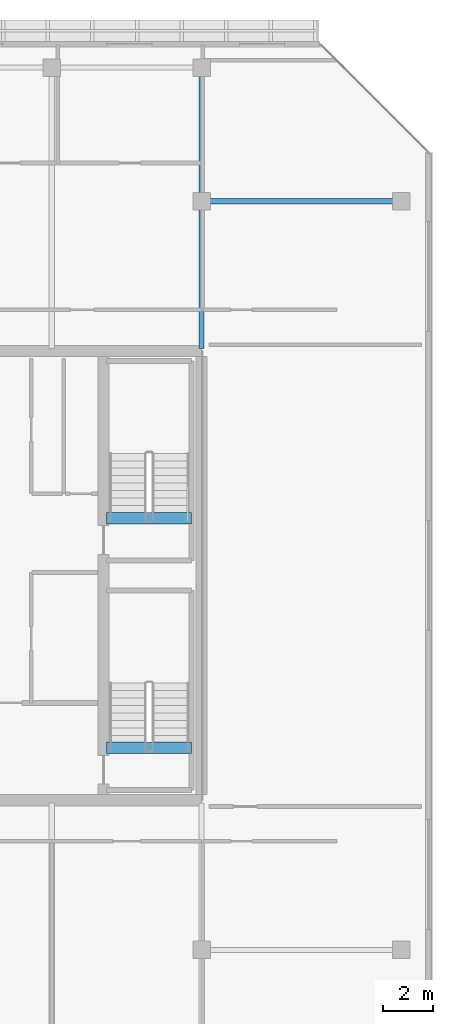
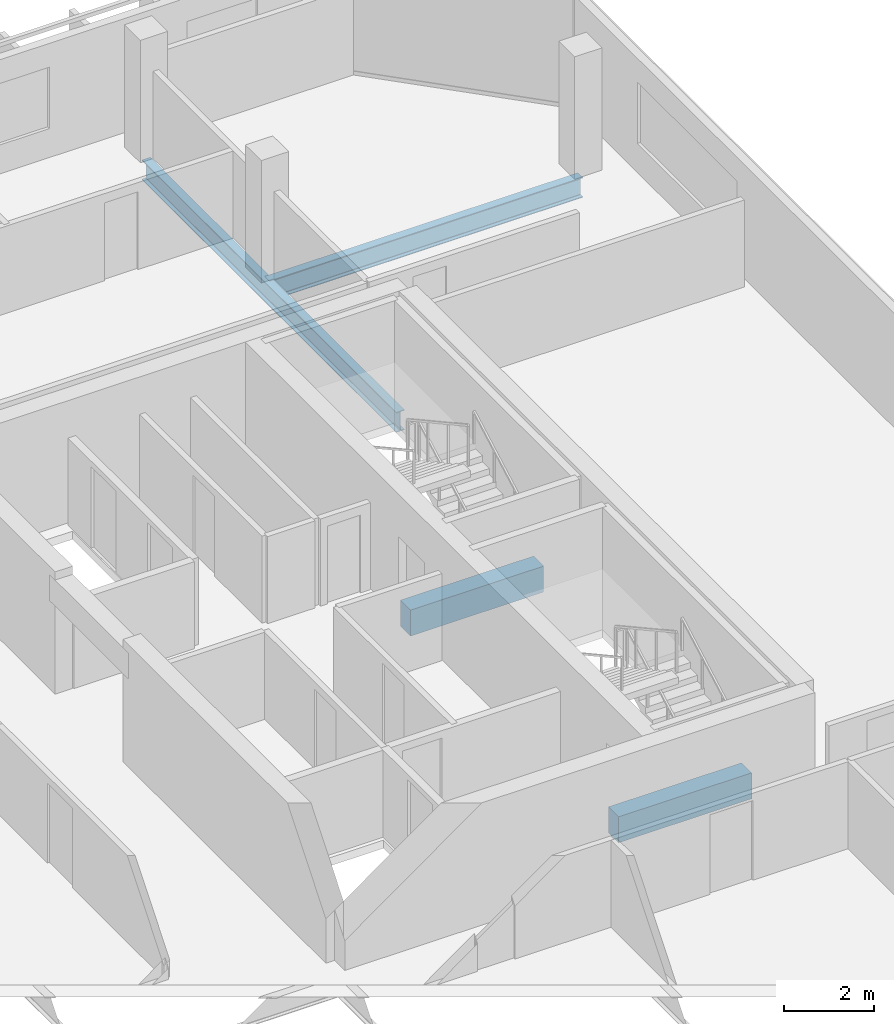
# One storey, part 17 of 28: 4 beams.
"""IFC4 building model written with IfcOpenShell, lengths in metres."""

from ifc_helpers import new_model, si_unit, direction, frame, origin, origin_2d, place, context, subcontext, project, spatial, rectangle, i_section, extrude, material, material_profile, profile_set, type_object, element, save


model = new_model("IFC4")

# Units and contexts
model_context = context("Model", 3, precision=1e-05, world=origin(), true_north=direction((0.0, 1.0)))
body_context = subcontext(model_context, "Body", "Model", "MODEL_VIEW")
ifc_project = project(units=[si_unit("LENGTHUNIT", "METRE"), si_unit("AREAUNIT", "SQUARE_METRE"), si_unit("VOLUMEUNIT", "CUBIC_METRE"), si_unit("PLANEANGLEUNIT", "RADIAN"), si_unit("MASSUNIT", "GRAM", prefix="KILO")], contexts=[model_context])

# Site, building, storey
site_placement = place(None, origin())
site = spatial("IfcSite", under=ifc_project, at=site_placement, CompositionType="ELEMENT")
building_placement = place(site_placement, origin())
building = spatial("IfcBuilding", under=site, at=building_placement, Name="Tanjung Sevakor Pilgrim Tower", CompositionType="ELEMENT")
storey_placement = place(building_placement, frame((0.0, 0.0, 239.25)))
storey = spatial("IfcBuildingStorey", under=building, at=storey_placement, Name="L67", CompositionType="ELEMENT", Elevation=239.25)

# Beams
ifc_material_1 = material(Name="Steel S355J2", Category="steel")
ifc_material_profile_1 = material_profile(ifc_material_1, i_section(OverallWidth=0.2119140625, OverallDepth=0.54443359375, WebThickness=0.0126953125, FlangeThickness=0.021240234375, FilletRadius=0.0126953125, at=origin_2d()))
ifc_profile_set_1 = profile_set([ifc_material_profile_1], Name="Steel S355J2")
beam_type_1 = type_object("IfcBeamType", Name="BM-B-G5-UB_533x210x122", PredefinedType="BEAM", material=ifc_profile_set_1)
beam_1_placement = place(storey_placement, frame((90.0, 48.60009765625, -0.4921875), z_axis=(1.0, 0.0, 0.0), x_axis=(0.0, 1.0, 0.0)))
element("IfcBeam", 1, at=beam_1_placement, inside=storey, type_object=beam_type_1, Name="L67 East Peak Wing Girder Y48.6", PredefinedType="BEAM", context=body_context, shape_type="SweptSolid", body=[
    extrude(i_section(OverallWidth=0.2119140625, OverallDepth=0.54443359375, WebThickness=0.0126953125, FlangeThickness=0.021240234375, FilletRadius=0.0126953125, at=origin_2d()), origin(), (0.0, 0.0, 1.0), 8.0),
])
ifc_material_2 = material(Name="Steel S355J2", Category="steel")
ifc_material_profile_2 = material_profile(ifc_material_2, i_section(OverallWidth=0.210693359375, OverallDepth=0.53955078125, WebThickness=0.01171875, FlangeThickness=0.018798828125, FilletRadius=0.0126953125, at=origin_2d()))
ifc_profile_set_2 = profile_set([ifc_material_profile_2], Name="Steel S355J2")
beam_type_2 = type_object("IfcBeamType", Name="BM-B-G6-UB_533x210x109", PredefinedType="BEAM", material=ifc_profile_set_2)
beam_2_placement = place(storey_placement, frame((90.0, 42.7060546875, -0.48974609375), z_axis=(0.0, 1.0, 0.0), x_axis=(-1.0, 0.0, 0.0)))
element("IfcBeam", 2, at=beam_2_placement, inside=storey, type_object=beam_type_2, Name="L67 EAST Girder 010", PredefinedType="BEAM", context=body_context, shape_type="SweptSolid", body=[
    extrude(i_section(OverallWidth=0.210693359375, OverallDepth=0.53955078125, WebThickness=0.01171875, FlangeThickness=0.018798828125, FilletRadius=0.0126953125, at=origin_2d()), origin(), (0.0, 0.0, 1.0), 11.243896484375),
])
ifc_material_3 = material(Name="Concrete C60/75", Category="concrete")
ifc_material_profile_3 = material_profile(ifc_material_3, rectangle(XDim=0.449951171875, YDim=0.699951171875, at=origin_2d()))
ifc_profile_set_3 = profile_set([ifc_material_profile_3], Name="Concrete C60/75")
beam_type_3 = type_object("IfcBeamType", Name="BM-B-LN3-RC-BM_450x700", PredefinedType="LINTEL", material=ifc_profile_set_3)
for number, where, z_axis, x_axis, name in (
    (3, (86.199951171875, 26.699951171875, -0.35009765625), (1.0, 0.0, 0.0), (0.0, 1.0, 0.0), "L67 TS-E1 Stair Threshold Beam"),
    (4, (86.199951171875, 35.89990234375, -0.35009765625), (1.0, 0.0, 0.0), (0.0, 1.0, 0.0), "L67 TS-E2 Stair Threshold Beam"),
):
    element("IfcBeam", number, at=place(storey_placement, frame(where, z_axis=z_axis, x_axis=x_axis)), inside=storey, type_object=beam_type_3, Name=name, PredefinedType="LINTEL", context=body_context, shape_type="SweptSolid", body=[
        extrude(rectangle(XDim=0.449951171875, YDim=0.699951171875, at=origin_2d()), origin(), (0.0, 0.0, 1.0), 3.400146484375),
    ])

save(model, "model.ifc")
